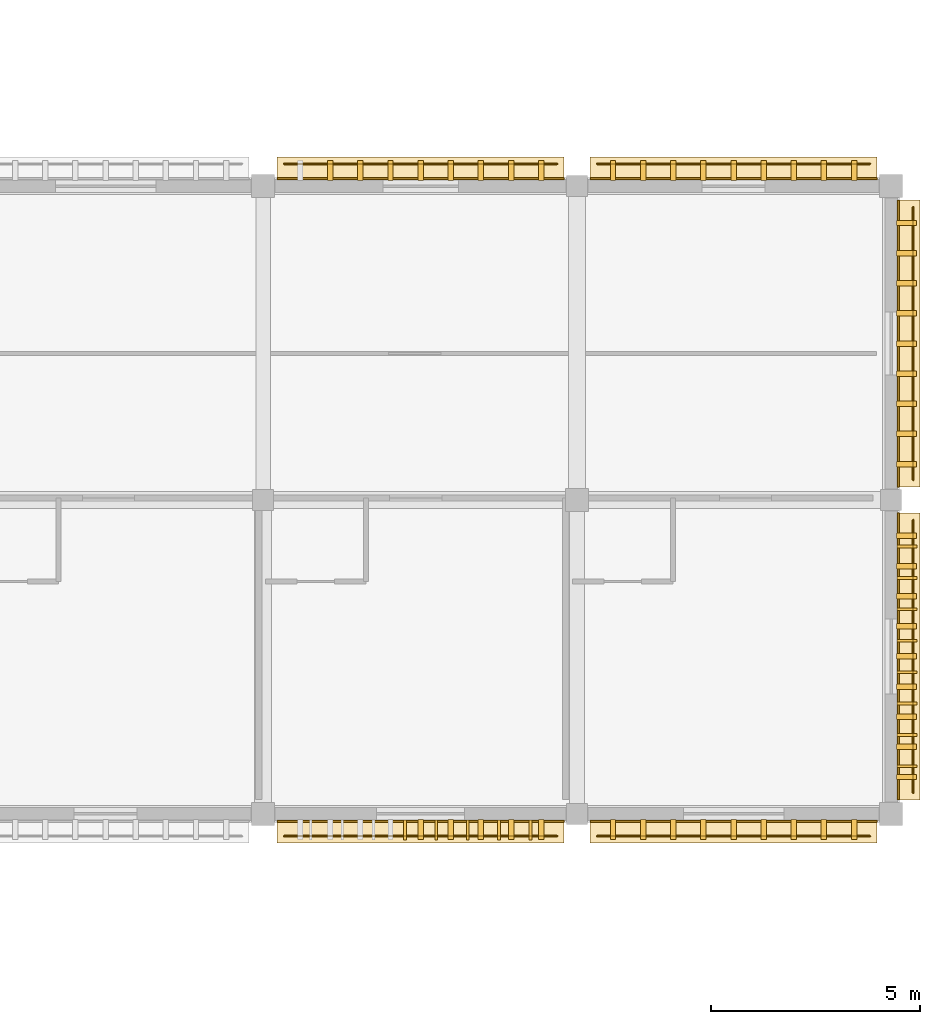
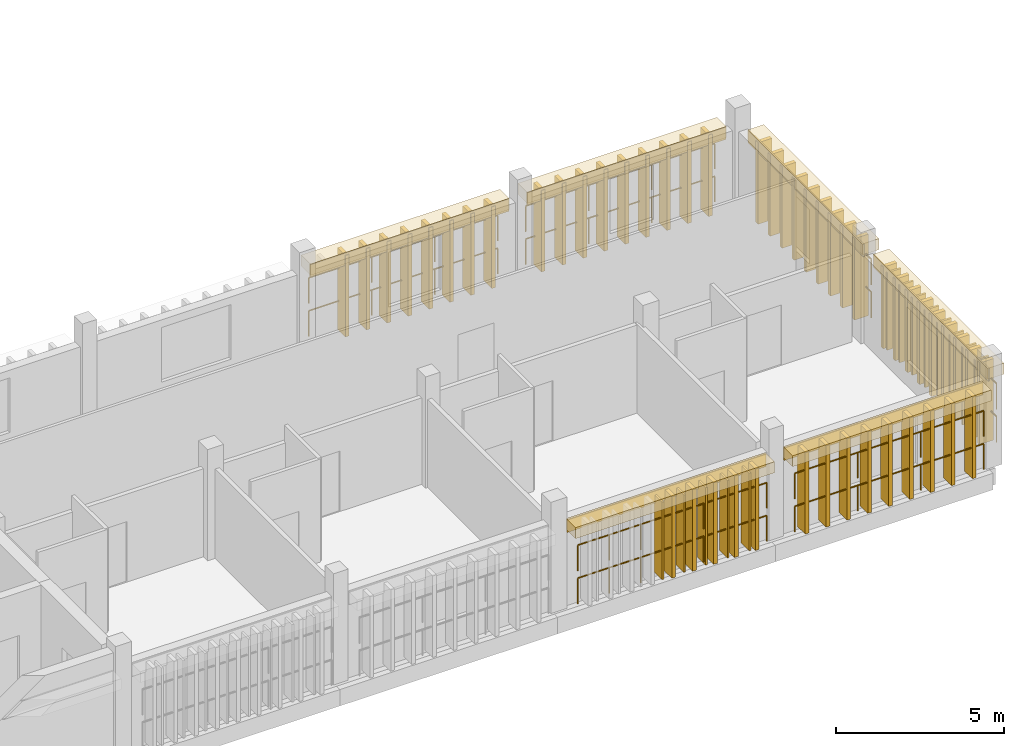
# One storey, part 47 of 48: 61 coverings, 13 shading devices, 12 railings.
"""IFC4 building model written with IfcOpenShell, lengths in metres."""

from ifc_helpers import new_model, si_unit, direction, frame, origin, origin_2d, place, context, subcontext, project, spatial, rectangle, circle, extrude, material, layer, layer_set, type_object, element, save


model = new_model("IFC4")

# Units and contexts
model_context = context("Model", 3, precision=1e-05, world=origin(), true_north=direction((0.0, 1.0)))
body_context = subcontext(model_context, "Body", "Model", "MODEL_VIEW")
ifc_project = project(units=[si_unit("LENGTHUNIT", "METRE"), si_unit("AREAUNIT", "SQUARE_METRE"), si_unit("VOLUMEUNIT", "CUBIC_METRE"), si_unit("PLANEANGLEUNIT", "RADIAN"), si_unit("MASSUNIT", "GRAM", prefix="KILO")], contexts=[model_context])

# Site, building, storey
site_placement = place(None, origin())
site = spatial("IfcSite", under=ifc_project, at=site_placement, CompositionType="ELEMENT")
building_placement = place(site_placement, origin())
building = spatial("IfcBuilding", under=site, at=building_placement, Name="Dalvernix Boulevard General Hospital", CompositionType="ELEMENT")
storey_placement = place(building_placement, frame((0.0, 0.0, 17.85009765625)))
storey = spatial("IfcBuildingStorey", under=building, at=storey_placement, Name="L04", CompositionType="ELEMENT", Elevation=17.85009765625)

# Coverings
ifc_material_1 = material(Name="Polychrome Catalan glazed ceramic spandrel tile panel")
ifc_layer_1 = layer(ifc_material_1, 0.044921875)
ifc_layer_set_1 = layer_set([ifc_layer_1], Name="Polychrome Catalan glazed ceramic spandrel tile panel (COV-CLD-01)")
covering_type_1 = type_object("IfcCoveringType", Name="COV-CLD-01", PredefinedType="CLADDING", material=ifc_layer_set_1)
for number, where, z_axis, x_axis, name in (
    (1, (161.262451171875, 7.330078125, 2.69482421875), (0.0, 0.0, 1.0), (-1.0, 0.0, 0.0), "L04 polychrome ceramic spandrel S 21-1"),
    (2, (161.262451171875, 22.669921875, 2.69482421875), (0.0, 0.0, 1.0), (1.0, 0.0, 0.0), "L04 polychrome ceramic spandrel N 21-3"),
    (3, (168.737548828125, 7.330078125, 2.69482421875), (0.0, 0.0, 1.0), (-1.0, 0.0, 0.0), "L04 polychrome ceramic spandrel S 22-1"),
    (4, (172.669921875, 11.262451171875, 2.69482421875), (0.0, 0.0, 1.0), (0.0, -1.0, 0.0), "L04 polychrome ceramic spandrel E 23-1"),
    (5, (168.737548828125, 22.669921875, 2.69482421875), (0.0, 0.0, 1.0), (1.0, 0.0, 0.0), "L04 polychrome ceramic spandrel N 22-3"),
    (6, (172.669921875, 18.737548828125, 2.69482421875), (0.0, 0.0, 1.0), (0.0, -1.0, 0.0), "L04 polychrome ceramic spandrel E 23-2"),
):
    element("IfcCovering", number, at=place(storey_placement, frame(where, z_axis=z_axis, x_axis=x_axis)), inside=storey, type_object=covering_type_1, Name=name, PredefinedType="CLADDING", context=body_context, shape_type="SweptSolid", body=[
        extrude(rectangle(XDim=6.85498046875, YDim=0.044921875, at=origin_2d()), origin(), (0.0, 0.0, 1.0), 0.449951171875),
    ])
ifc_material_2 = material(Name="Dressed ochre limestone classical plinth, stringcourse and corbelled cornice", Category="masonry")
ifc_layer_2 = layer(ifc_material_2, 0.449951171875)
ifc_layer_set_2 = layer_set([ifc_layer_2], Name="Dressed ochre limestone classical plinth, stringcourse and corbelled cornice (COV-CRN-01)")
covering_type_2 = type_object("IfcCoveringType", Name="COV-CRN-01", PredefinedType="CLADDING", material=ifc_layer_set_2)
for number, where, z_axis, x_axis, name in (
    (7, (161.262451171875, 7.090087890625, 2.77001953125), (0.0, 0.0, 1.0), (-1.0, 0.0, 0.0), "L04 classical corbelled cornice frieze S 21-1"),
    (8, (161.262451171875, 22.909912109375, 2.77001953125), (0.0, 0.0, 1.0), (1.0, 0.0, 0.0), "L04 classical corbelled cornice frieze N 21-3"),
    (9, (168.737548828125, 7.090087890625, 2.77001953125), (0.0, 0.0, 1.0), (-1.0, 0.0, 0.0), "L04 classical corbelled cornice frieze S 22-1"),
    (10, (172.909912109375, 11.262451171875, 2.77001953125), (0.0, 0.0, 1.0), (0.0, -1.0, 0.0), "L04 classical corbelled cornice frieze E 23-1"),
    (11, (168.737548828125, 22.909912109375, 2.77001953125), (0.0, 0.0, 1.0), (1.0, 0.0, 0.0), "L04 classical corbelled cornice frieze N 22-3"),
    (12, (172.909912109375, 18.737548828125, 2.77001953125), (0.0, 0.0, 1.0), (0.0, -1.0, 0.0), "L04 classical corbelled cornice frieze E 23-2"),
):
    element("IfcCovering", number, at=place(storey_placement, frame(where, z_axis=z_axis, x_axis=x_axis)), inside=storey, type_object=covering_type_2, Name=name, PredefinedType="CLADDING", context=body_context, shape_type="SweptSolid", body=[
        extrude(rectangle(XDim=6.85498046875, YDim=0.56005859375, at=origin_2d()), origin(), (0.0, 0.0, 1.0), 0.39990234375),
    ])
ifc_material_3 = material(Name="Preservative-treated West African iroko timber lattice screen", Category="wood")
ifc_layer_3 = layer(ifc_material_3, 0.1201171875)
ifc_layer_set_3 = layer_set([ifc_layer_3], Name="Preservative-treated West African iroko timber lattice screen (COV-TSCR-01)")
covering_type_3 = type_object("IfcCoveringType", Name="COV-TSCR-01", PredefinedType="CLADDING", material=ifc_layer_set_3)
for number, where, z_axis, x_axis, name in (
    (13, (164.142578125, 7.1298828125, 0.10009765625), (0.0, 0.0, 1.0), (-1.0, 0.0, 0.0), "L04 upper-ward timber screen blade S 21-1-1"),
    (14, (163.422607421875, 7.1298828125, 0.10009765625), (0.0, 0.0, 1.0), (-1.0, 0.0, 0.0), "L04 upper-ward timber screen blade S 21-1-2"),
    (15, (162.702392578125, 7.1298828125, 0.10009765625), (0.0, 0.0, 1.0), (-1.0, 0.0, 0.0), "L04 upper-ward timber screen blade S 21-1-3"),
    (16, (161.982421875, 7.1298828125, 0.10009765625), (0.0, 0.0, 1.0), (-1.0, 0.0, 0.0), "L04 upper-ward timber screen blade S 21-1-4"),
    (17, (161.262451171875, 7.1298828125, 0.10009765625), (0.0, 0.0, 1.0), (-1.0, 0.0, 0.0), "L04 upper-ward timber screen blade S 21-1-5"),
    (18, (159.1025390625, 22.8701171875, 0.10009765625), (0.0, 0.0, 1.0), (1.0, 0.0, 0.0), "L04 upper-ward timber screen blade N 21-3-2"),
    (19, (159.822509765625, 22.8701171875, 0.10009765625), (0.0, 0.0, 1.0), (1.0, 0.0, 0.0), "L04 upper-ward timber screen blade N 21-3-3"),
    (20, (160.54248046875, 22.8701171875, 0.10009765625), (0.0, 0.0, 1.0), (1.0, 0.0, 0.0), "L04 upper-ward timber screen blade N 21-3-4"),
    (21, (161.262451171875, 22.8701171875, 0.10009765625), (0.0, 0.0, 1.0), (1.0, 0.0, 0.0), "L04 upper-ward timber screen blade N 21-3-5"),
    (22, (161.982421875, 22.8701171875, 0.10009765625), (0.0, 0.0, 1.0), (1.0, 0.0, 0.0), "L04 upper-ward timber screen blade N 21-3-6"),
    (23, (162.702392578125, 22.8701171875, 0.10009765625), (0.0, 0.0, 1.0), (1.0, 0.0, 0.0), "L04 upper-ward timber screen blade N 21-3-7"),
    (24, (163.422607421875, 22.8701171875, 0.10009765625), (0.0, 0.0, 1.0), (1.0, 0.0, 0.0), "L04 upper-ward timber screen blade N 21-3-8"),
    (25, (164.142578125, 22.8701171875, 0.10009765625), (0.0, 0.0, 1.0), (1.0, 0.0, 0.0), "L04 upper-ward timber screen blade N 21-3-9"),
    (26, (171.617431640625, 7.1298828125, 0.10009765625), (0.0, 0.0, 1.0), (-1.0, 0.0, 0.0), "L04 upper-ward timber screen blade S 22-1-1"),
    (27, (170.8974609375, 7.1298828125, 0.10009765625), (0.0, 0.0, 1.0), (-1.0, 0.0, 0.0), "L04 upper-ward timber screen blade S 22-1-2"),
    (28, (170.177490234375, 7.1298828125, 0.10009765625), (0.0, 0.0, 1.0), (-1.0, 0.0, 0.0), "L04 upper-ward timber screen blade S 22-1-3"),
    (29, (169.45751953125, 7.1298828125, 0.10009765625), (0.0, 0.0, 1.0), (-1.0, 0.0, 0.0), "L04 upper-ward timber screen blade S 22-1-4"),
    (30, (168.737548828125, 7.1298828125, 0.10009765625), (0.0, 0.0, 1.0), (-1.0, 0.0, 0.0), "L04 upper-ward timber screen blade S 22-1-5"),
    (31, (168.017578125, 7.1298828125, 0.10009765625), (0.0, 0.0, 1.0), (-1.0, 0.0, 0.0), "L04 upper-ward timber screen blade S 22-1-6"),
    (32, (167.297607421875, 7.1298828125, 0.10009765625), (0.0, 0.0, 1.0), (-1.0, 0.0, 0.0), "L04 upper-ward timber screen blade S 22-1-7"),
    (33, (166.577392578125, 7.1298828125, 0.10009765625), (0.0, 0.0, 1.0), (-1.0, 0.0, 0.0), "L04 upper-ward timber screen blade S 22-1-8"),
    (34, (165.857421875, 7.1298828125, 0.10009765625), (0.0, 0.0, 1.0), (-1.0, 0.0, 0.0), "L04 upper-ward timber screen blade S 22-1-9"),
    (35, (172.8701171875, 14.142578125, 0.10009765625), (0.0, 0.0, 1.0), (0.0, -1.0, 0.0), "L04 upper-ward timber screen blade E 23-1-1"),
    (36, (172.8701171875, 13.422607421875, 0.10009765625), (0.0, 0.0, 1.0), (0.0, -1.0, 0.0), "L04 upper-ward timber screen blade E 23-1-2"),
    (37, (172.8701171875, 12.702392578125, 0.10009765625), (0.0, 0.0, 1.0), (0.0, -1.0, 0.0), "L04 upper-ward timber screen blade E 23-1-3"),
    (38, (172.8701171875, 11.982421875, 0.10009765625), (0.0, 0.0, 1.0), (0.0, -1.0, 0.0), "L04 upper-ward timber screen blade E 23-1-4"),
    (39, (172.8701171875, 11.262451171875, 0.10009765625), (0.0, 0.0, 1.0), (0.0, -1.0, 0.0), "L04 upper-ward timber screen blade E 23-1-5"),
    (40, (172.8701171875, 10.54248046875, 0.10009765625), (0.0, 0.0, 1.0), (0.0, -1.0, 0.0), "L04 upper-ward timber screen blade E 23-1-6"),
    (41, (172.8701171875, 9.822509765625, 0.10009765625), (0.0, 0.0, 1.0), (0.0, -1.0, 0.0), "L04 upper-ward timber screen blade E 23-1-7"),
    (42, (172.8701171875, 9.1025390625, 0.10009765625), (0.0, 0.0, 1.0), (0.0, -1.0, 0.0), "L04 upper-ward timber screen blade E 23-1-8"),
    (43, (172.8701171875, 8.382568359375, 0.10009765625), (0.0, 0.0, 1.0), (0.0, -1.0, 0.0), "L04 upper-ward timber screen blade E 23-1-9"),
    (44, (165.857421875, 22.8701171875, 0.10009765625), (0.0, 0.0, 1.0), (1.0, 0.0, 0.0), "L04 upper-ward timber screen blade N 22-3-1"),
    (45, (166.577392578125, 22.8701171875, 0.10009765625), (0.0, 0.0, 1.0), (1.0, 0.0, 0.0), "L04 upper-ward timber screen blade N 22-3-2"),
    (46, (167.297607421875, 22.8701171875, 0.10009765625), (0.0, 0.0, 1.0), (1.0, 0.0, 0.0), "L04 upper-ward timber screen blade N 22-3-3"),
    (47, (168.017578125, 22.8701171875, 0.10009765625), (0.0, 0.0, 1.0), (1.0, 0.0, 0.0), "L04 upper-ward timber screen blade N 22-3-4"),
    (48, (168.737548828125, 22.8701171875, 0.10009765625), (0.0, 0.0, 1.0), (1.0, 0.0, 0.0), "L04 upper-ward timber screen blade N 22-3-5"),
    (49, (169.45751953125, 22.8701171875, 0.10009765625), (0.0, 0.0, 1.0), (1.0, 0.0, 0.0), "L04 upper-ward timber screen blade N 22-3-6"),
    (50, (170.177490234375, 22.8701171875, 0.10009765625), (0.0, 0.0, 1.0), (1.0, 0.0, 0.0), "L04 upper-ward timber screen blade N 22-3-7"),
    (51, (170.8974609375, 22.8701171875, 0.10009765625), (0.0, 0.0, 1.0), (1.0, 0.0, 0.0), "L04 upper-ward timber screen blade N 22-3-8"),
    (52, (171.617431640625, 22.8701171875, 0.10009765625), (0.0, 0.0, 1.0), (1.0, 0.0, 0.0), "L04 upper-ward timber screen blade N 22-3-9"),
    (53, (172.8701171875, 21.617431640625, 0.10009765625), (0.0, 0.0, 1.0), (0.0, -1.0, 0.0), "L04 upper-ward timber screen blade E 23-2-1"),
    (54, (172.8701171875, 20.8974609375, 0.10009765625), (0.0, 0.0, 1.0), (0.0, -1.0, 0.0), "L04 upper-ward timber screen blade E 23-2-2"),
    (55, (172.8701171875, 20.177490234375, 0.10009765625), (0.0, 0.0, 1.0), (0.0, -1.0, 0.0), "L04 upper-ward timber screen blade E 23-2-3"),
    (56, (172.8701171875, 19.45751953125, 0.10009765625), (0.0, 0.0, 1.0), (0.0, -1.0, 0.0), "L04 upper-ward timber screen blade E 23-2-4"),
    (57, (172.8701171875, 18.737548828125, 0.10009765625), (0.0, 0.0, 1.0), (0.0, -1.0, 0.0), "L04 upper-ward timber screen blade E 23-2-5"),
    (58, (172.8701171875, 18.017578125, 0.10009765625), (0.0, 0.0, 1.0), (0.0, -1.0, 0.0), "L04 upper-ward timber screen blade E 23-2-6"),
    (59, (172.8701171875, 17.297607421875, 0.10009765625), (0.0, 0.0, 1.0), (0.0, -1.0, 0.0), "L04 upper-ward timber screen blade E 23-2-7"),
    (60, (172.8701171875, 16.577392578125, 0.10009765625), (0.0, 0.0, 1.0), (0.0, -1.0, 0.0), "L04 upper-ward timber screen blade E 23-2-8"),
    (61, (172.8701171875, 15.857421875, 0.10009765625), (0.0, 0.0, 1.0), (0.0, -1.0, 0.0), "L04 upper-ward timber screen blade E 23-2-9"),
):
    element("IfcCovering", number, at=place(storey_placement, frame(where, z_axis=z_axis, x_axis=x_axis)), inside=storey, type_object=covering_type_3, Name=name, PredefinedType="CLADDING", context=body_context, shape_type="SweptSolid", body=[
        extrude(rectangle(XDim=0.1298828125, YDim=0.47998046875, at=origin_2d()), origin(), (0.0, 0.0, 1.0), 2.969970703125),
    ])

# Railings
ifc_material_4 = material(Name="Preservative-treated iroko timber horizontal screen louver rail", Category="wood")
railing_type = type_object("IfcRailingType", Name="RL-TSCR-01", PredefinedType="BALUSTRADE", material=ifc_material_4)
for number, where, name in (
    (62, (164.52001953125, 6.969970703125, 0.25), "L04 upper-ward horizontal timber screen louver S 21-1-1"),
    (63, (164.52001953125, 6.969970703125, 1.449951171875), "L04 upper-ward horizontal timber screen louver S 21-1-2"),
):
    element("IfcRailing", number, at=place(storey_placement, frame(where)), inside=storey, type_object=railing_type, Name=name, PredefinedType="BALUSTRADE", context=body_context, shape_type="SweptSolid", body=[
        extrude(circle(Radius=0.02392578125, at=origin_2d()), frame((0.0, 0.0, 0.92578125), z_axis=(-1.0, 0.0, 0.0), x_axis=(0.0, -1.0, 0.0)), (0.0, 0.0, 1.0), 6.51513671875),
        extrude(circle(Radius=0.02099609375, at=origin_2d()), origin(), (0.0, 0.0, 1.0), 0.90185546875),
        extrude(circle(Radius=0.02099609375, at=origin_2d()), frame((-1.0859375, 0.0, 0.0)), (0.0, 0.0, 1.0), 0.90185546875),
        extrude(circle(Radius=0.02099609375, at=origin_2d()), frame((-2.171630859375, 0.0, 0.0)), (0.0, 0.0, 1.0), 0.90185546875),
        extrude(circle(Radius=0.02099609375, at=origin_2d()), frame((-3.257568359375, 0.0, 0.0)), (0.0, 0.0, 1.0), 0.90185546875),
        extrude(circle(Radius=0.02099609375, at=origin_2d()), frame((-4.343505859375, 0.0, 0.0)), (0.0, 0.0, 1.0), 0.90185546875),
        extrude(circle(Radius=0.02099609375, at=origin_2d()), frame((-5.42919921875, 0.0, 0.0)), (0.0, 0.0, 1.0), 0.90185546875),
        extrude(circle(Radius=0.02099609375, at=origin_2d()), frame((-6.51513671875, 0.0, 0.0)), (0.0, 0.0, 1.0), 0.90185546875),
    ])
for number, where, name in (
    (64, (158.0048828125, 23.030029296875, 0.25), "L04 upper-ward horizontal timber screen louver N 21-3-1"),
    (65, (158.0048828125, 23.030029296875, 1.449951171875), "L04 upper-ward horizontal timber screen louver N 21-3-2"),
):
    element("IfcRailing", number, at=place(storey_placement, frame(where)), inside=storey, type_object=railing_type, Name=name, PredefinedType="BALUSTRADE", context=body_context, shape_type="SweptSolid", body=[
        extrude(circle(Radius=0.02392578125, at=origin_2d()), frame((0.0, 0.0, 0.92578125), z_axis=(1.0, 0.0, 0.0), x_axis=(0.0, 1.0, 0.0)), (0.0, 0.0, 1.0), 6.51513671875),
        extrude(circle(Radius=0.02099609375, at=origin_2d()), origin(), (0.0, 0.0, 1.0), 0.90185546875),
        extrude(circle(Radius=0.02099609375, at=origin_2d()), frame((1.0859375, 0.0, 0.0)), (0.0, 0.0, 1.0), 0.90185546875),
        extrude(circle(Radius=0.02099609375, at=origin_2d()), frame((2.171630859375, 0.0, 0.0)), (0.0, 0.0, 1.0), 0.90185546875),
        extrude(circle(Radius=0.02099609375, at=origin_2d()), frame((3.257568359375, 0.0, 0.0)), (0.0, 0.0, 1.0), 0.90185546875),
        extrude(circle(Radius=0.02099609375, at=origin_2d()), frame((4.343505859375, 0.0, 0.0)), (0.0, 0.0, 1.0), 0.90185546875),
        extrude(circle(Radius=0.02099609375, at=origin_2d()), frame((5.42919921875, 0.0, 0.0)), (0.0, 0.0, 1.0), 0.90185546875),
        extrude(circle(Radius=0.02099609375, at=origin_2d()), frame((6.51513671875, 0.0, 0.0)), (0.0, 0.0, 1.0), 0.90185546875),
    ])
for number, where, name in (
    (66, (171.9951171875, 6.969970703125, 0.25), "L04 upper-ward horizontal timber screen louver S 22-1-1"),
    (67, (171.9951171875, 6.969970703125, 1.449951171875), "L04 upper-ward horizontal timber screen louver S 22-1-2"),
):
    element("IfcRailing", number, at=place(storey_placement, frame(where)), inside=storey, type_object=railing_type, Name=name, PredefinedType="BALUSTRADE", context=body_context, shape_type="SweptSolid", body=[
        extrude(circle(Radius=0.02392578125, at=origin_2d()), frame((0.0, 0.0, 0.92578125), z_axis=(-1.0, 0.0, 0.0), x_axis=(0.0, -1.0, 0.0)), (0.0, 0.0, 1.0), 6.51513671875),
        extrude(circle(Radius=0.02099609375, at=origin_2d()), origin(), (0.0, 0.0, 1.0), 0.90185546875),
        extrude(circle(Radius=0.02099609375, at=origin_2d()), frame((-1.0859375, 0.0, 0.0)), (0.0, 0.0, 1.0), 0.90185546875),
        extrude(circle(Radius=0.02099609375, at=origin_2d()), frame((-2.171630859375, 0.0, 0.0)), (0.0, 0.0, 1.0), 0.90185546875),
        extrude(circle(Radius=0.02099609375, at=origin_2d()), frame((-3.257568359375, 0.0, 0.0)), (0.0, 0.0, 1.0), 0.90185546875),
        extrude(circle(Radius=0.02099609375, at=origin_2d()), frame((-4.343505859375, 0.0, 0.0)), (0.0, 0.0, 1.0), 0.90185546875),
        extrude(circle(Radius=0.02099609375, at=origin_2d()), frame((-5.42919921875, 0.0, 0.0)), (0.0, 0.0, 1.0), 0.90185546875),
        extrude(circle(Radius=0.02099609375, at=origin_2d()), frame((-6.51513671875, 0.0, 0.0)), (0.0, 0.0, 1.0), 0.90185546875),
    ])
for number, where, name in (
    (68, (173.030029296875, 14.52001953125, 0.25), "L04 upper-ward horizontal timber screen louver E 23-1-1"),
    (69, (173.030029296875, 14.52001953125, 1.449951171875), "L04 upper-ward horizontal timber screen louver E 23-1-2"),
):
    element("IfcRailing", number, at=place(storey_placement, frame(where)), inside=storey, type_object=railing_type, Name=name, PredefinedType="BALUSTRADE", context=body_context, shape_type="SweptSolid", body=[
        extrude(circle(Radius=0.02392578125, at=origin_2d()), frame((0.0, 0.0, 0.92578125), z_axis=(0.0, -1.0, 0.0), x_axis=(1.0, 0.0, 0.0)), (0.0, 0.0, 1.0), 6.51513671875),
        extrude(circle(Radius=0.02099609375, at=origin_2d()), origin(), (0.0, 0.0, 1.0), 0.90185546875),
        extrude(circle(Radius=0.02099609375, at=origin_2d()), frame((0.0, -1.0859375, 0.0)), (0.0, 0.0, 1.0), 0.90185546875),
        extrude(circle(Radius=0.02099609375, at=origin_2d()), frame((0.0, -2.171630859375, 0.0)), (0.0, 0.0, 1.0), 0.90185546875),
        extrude(circle(Radius=0.02099609375, at=origin_2d()), frame((0.0, -3.257568359375, 0.0)), (0.0, 0.0, 1.0), 0.90185546875),
        extrude(circle(Radius=0.02099609375, at=origin_2d()), frame((0.0, -4.343505859375, 0.0)), (0.0, 0.0, 1.0), 0.90185546875),
        extrude(circle(Radius=0.02099609375, at=origin_2d()), frame((0.0, -5.42919921875, 0.0)), (0.0, 0.0, 1.0), 0.90185546875),
        extrude(circle(Radius=0.02099609375, at=origin_2d()), frame((0.0, -6.51513671875, 0.0)), (0.0, 0.0, 1.0), 0.90185546875),
    ])
for number, where, name in (
    (70, (165.47998046875, 23.030029296875, 0.25), "L04 upper-ward horizontal timber screen louver N 22-3-1"),
    (71, (165.47998046875, 23.030029296875, 1.449951171875), "L04 upper-ward horizontal timber screen louver N 22-3-2"),
):
    element("IfcRailing", number, at=place(storey_placement, frame(where)), inside=storey, type_object=railing_type, Name=name, PredefinedType="BALUSTRADE", context=body_context, shape_type="SweptSolid", body=[
        extrude(circle(Radius=0.02392578125, at=origin_2d()), frame((0.0, 0.0, 0.92578125), z_axis=(1.0, 0.0, 0.0), x_axis=(0.0, 1.0, 0.0)), (0.0, 0.0, 1.0), 6.51513671875),
        extrude(circle(Radius=0.02099609375, at=origin_2d()), origin(), (0.0, 0.0, 1.0), 0.90185546875),
        extrude(circle(Radius=0.02099609375, at=origin_2d()), frame((1.0859375, 0.0, 0.0)), (0.0, 0.0, 1.0), 0.90185546875),
        extrude(circle(Radius=0.02099609375, at=origin_2d()), frame((2.171630859375, 0.0, 0.0)), (0.0, 0.0, 1.0), 0.90185546875),
        extrude(circle(Radius=0.02099609375, at=origin_2d()), frame((3.257568359375, 0.0, 0.0)), (0.0, 0.0, 1.0), 0.90185546875),
        extrude(circle(Radius=0.02099609375, at=origin_2d()), frame((4.343505859375, 0.0, 0.0)), (0.0, 0.0, 1.0), 0.90185546875),
        extrude(circle(Radius=0.02099609375, at=origin_2d()), frame((5.42919921875, 0.0, 0.0)), (0.0, 0.0, 1.0), 0.90185546875),
        extrude(circle(Radius=0.02099609375, at=origin_2d()), frame((6.51513671875, 0.0, 0.0)), (0.0, 0.0, 1.0), 0.90185546875),
    ])
for number, where, name in (
    (72, (173.030029296875, 21.9951171875, 0.25), "L04 upper-ward horizontal timber screen louver E 23-2-1"),
    (73, (173.030029296875, 21.9951171875, 1.449951171875), "L04 upper-ward horizontal timber screen louver E 23-2-2"),
):
    element("IfcRailing", number, at=place(storey_placement, frame(where)), inside=storey, type_object=railing_type, Name=name, PredefinedType="BALUSTRADE", context=body_context, shape_type="SweptSolid", body=[
        extrude(circle(Radius=0.02392578125, at=origin_2d()), frame((0.0, 0.0, 0.92578125), z_axis=(0.0, -1.0, 0.0), x_axis=(1.0, 0.0, 0.0)), (0.0, 0.0, 1.0), 6.51513671875),
        extrude(circle(Radius=0.02099609375, at=origin_2d()), origin(), (0.0, 0.0, 1.0), 0.90185546875),
        extrude(circle(Radius=0.02099609375, at=origin_2d()), frame((0.0, -1.0859375, 0.0)), (0.0, 0.0, 1.0), 0.90185546875),
        extrude(circle(Radius=0.02099609375, at=origin_2d()), frame((0.0, -2.171630859375, 0.0)), (0.0, 0.0, 1.0), 0.90185546875),
        extrude(circle(Radius=0.02099609375, at=origin_2d()), frame((0.0, -3.257568359375, 0.0)), (0.0, 0.0, 1.0), 0.90185546875),
        extrude(circle(Radius=0.02099609375, at=origin_2d()), frame((0.0, -4.343505859375, 0.0)), (0.0, 0.0, 1.0), 0.90185546875),
        extrude(circle(Radius=0.02099609375, at=origin_2d()), frame((0.0, -5.42919921875, 0.0)), (0.0, 0.0, 1.0), 0.90185546875),
        extrude(circle(Radius=0.02099609375, at=origin_2d()), frame((0.0, -6.51513671875, 0.0)), (0.0, 0.0, 1.0), 0.90185546875),
    ])

# Shading devices
ifc_material_5 = material(Name="Preservative-treated West African iroko timber", Category="wood")
shading_device_type = type_object("IfcShadingDeviceType", Name="SHD-FIN-01", PredefinedType="USERDEFINED", material=ifc_material_5)
for number, where, z_axis, x_axis, name in (
    (74, (163.887451171875, 7.1201171875, 0.1748046875), (0.0, 0.0, 1.0), (-1.0, 0.0, 0.0), "L04 iroko brise-soleil fin 1"),
    (75, (163.137451171875, 7.1201171875, 0.1748046875), (0.0, 0.0, 1.0), (-1.0, 0.0, 0.0), "L04 iroko brise-soleil fin 2"),
    (76, (162.387451171875, 7.1201171875, 0.1748046875), (0.0, 0.0, 1.0), (-1.0, 0.0, 0.0), "L04 iroko brise-soleil fin 3"),
    (77, (161.637451171875, 7.1201171875, 0.1748046875), (0.0, 0.0, 1.0), (-1.0, 0.0, 0.0), "L04 iroko brise-soleil fin 4"),
    (78, (160.887451171875, 7.1201171875, 0.1748046875), (0.0, 0.0, 1.0), (-1.0, 0.0, 0.0), "L04 iroko brise-soleil fin 5"),
    (79, (172.8798828125, 13.887451171875, 0.1748046875), (0.0, 0.0, 1.0), (0.0, -1.0, 0.0), "L04 iroko brise-soleil fin 1"),
    (80, (172.8798828125, 13.137451171875, 0.1748046875), (0.0, 0.0, 1.0), (0.0, -1.0, 0.0), "L04 iroko brise-soleil fin 2"),
    (81, (172.8798828125, 12.387451171875, 0.1748046875), (0.0, 0.0, 1.0), (0.0, -1.0, 0.0), "L04 iroko brise-soleil fin 3"),
    (82, (172.8798828125, 11.637451171875, 0.1748046875), (0.0, 0.0, 1.0), (0.0, -1.0, 0.0), "L04 iroko brise-soleil fin 4"),
    (83, (172.8798828125, 10.887451171875, 0.1748046875), (0.0, 0.0, 1.0), (0.0, -1.0, 0.0), "L04 iroko brise-soleil fin 5"),
    (84, (172.8798828125, 10.137451171875, 0.1748046875), (0.0, 0.0, 1.0), (0.0, -1.0, 0.0), "L04 iroko brise-soleil fin 6"),
    (85, (172.8798828125, 9.387451171875, 0.1748046875), (0.0, 0.0, 1.0), (0.0, -1.0, 0.0), "L04 iroko brise-soleil fin 7"),
    (86, (172.8798828125, 8.637451171875, 0.1748046875), (0.0, 0.0, 1.0), (0.0, -1.0, 0.0), "L04 iroko brise-soleil fin 8"),
):
    element("IfcShadingDevice", number, at=place(storey_placement, frame(where, z_axis=z_axis, x_axis=x_axis)), inside=storey, type_object=shading_device_type, Name=name, ObjectType="FIN", PredefinedType="USERDEFINED", context=body_context, shape_type="SweptSolid", body=[
        extrude(rectangle(XDim=0.06494140625, YDim=0.47998046875, at=origin_2d()), origin(), (0.0, 0.0, 1.0), 2.820068359375),
    ])

save(model, "model.ifc")
